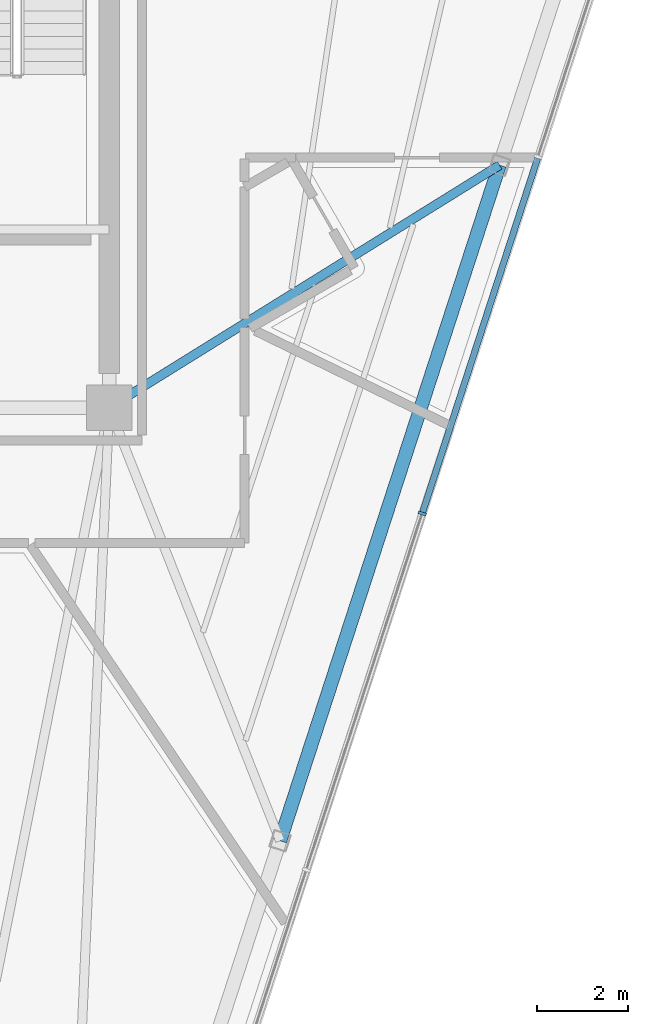
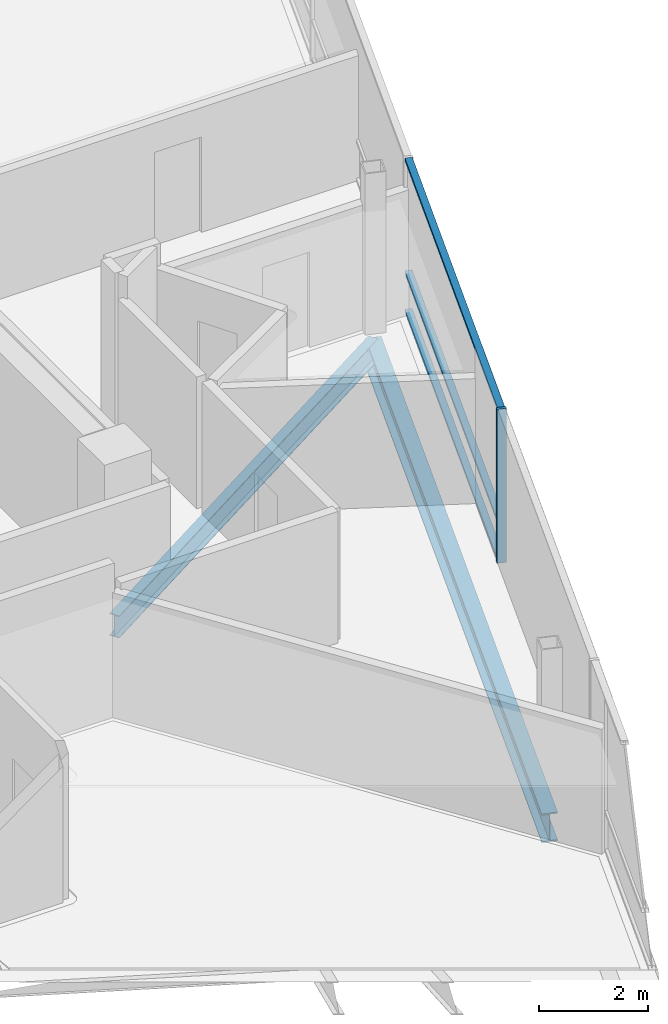
# One storey, part 5 of 18: 4 members, 2 beams, 1 element without a shape of its own.
"""IFC4 building model written with IfcOpenShell, lengths in metres."""

from ifc_helpers import new_model, si_unit, direction, frame, origin, origin_2d, place, context, subcontext, project, spatial, rectangle, i_section, extrude, material, layer, layer_set, material_profile, profile_set, type_object, element, aggregate, save


model = new_model("IFC4")

# Units and contexts
model_context = context("Model", 3, precision=1e-05, world=origin(), true_north=direction((0.0, 1.0)))
body_context = subcontext(model_context, "Body", "Model", "MODEL_VIEW")
ifc_project = project(units=[si_unit("LENGTHUNIT", "METRE"), si_unit("AREAUNIT", "SQUARE_METRE"), si_unit("VOLUMEUNIT", "CUBIC_METRE"), si_unit("PLANEANGLEUNIT", "RADIAN"), si_unit("MASSUNIT", "GRAM", prefix="KILO")], contexts=[model_context])

# Site, building, storey
site_placement = place(None, origin())
site = spatial("IfcSite", under=ifc_project, at=site_placement, CompositionType="ELEMENT")
building_placement = place(site_placement, origin())
building = spatial("IfcBuilding", under=site, at=building_placement, Name="Tharavind Bronze Gate", CompositionType="ELEMENT")
storey_placement = place(building_placement, frame((0.0, 0.0, 287.050048828125)))
storey = spatial("IfcBuildingStorey", under=building, at=storey_placement, Name="L74", CompositionType="ELEMENT", Elevation=287.050048828125)

# Curtain wall, members
ifc_material_1 = material(Name="Anodised Bronze Aluminium", Category="aluminium")
ifc_layer = layer(ifc_material_1, 0.219970703125)
ifc_layer_set = layer_set([ifc_layer], Name="Anodised Bronze Aluminium")
curtain_wall_type = type_object("IfcCurtainWallType", Name="UNITISED CURTAIN WALL CROWN", PredefinedType="USERDEFINED", material=ifc_layer_set)
curtain_wall_placement = place(storey_placement, origin())
curtain_wall = element("IfcCurtainWall", 1, at=curtain_wall_placement, inside=storey, type_object=curtain_wall_type, Name="L74 unitised curtain wall crown CW-L74-S2", ObjectType="UNITISED CURTAIN WALL", PredefinedType="USERDEFINED")
member_type_1 = type_object("IfcMemberType", Name="CURTAIN WALL BRONZE MULLION 65X180", PredefinedType="MULLION", material=ifc_material_1)
member_1_placement = place(storey_placement, frame((15.78759765625, -9.9296875, 0.0), z_axis=(0.0, 0.0, 1.0), x_axis=(0.309016994375, 0.951056516295, 0.0)))
member_1 = element("IfcMember", 2, at=member_1_placement, type_object=member_type_1, Name="CW-L74-S2 mullion 4", PredefinedType="MULLION", context=body_context, shape_type="SweptSolid", body=[
    extrude(rectangle(XDim=0.06494140625, YDim=0.179931640625, at=origin_2d()), origin(), (0.0, 0.0, 1.0), 3.465087890625),
])
member_type_2 = type_object("IfcMemberType", Name="CURTAIN WALL BRONZE TRANSOM 65X140", PredefinedType="USERDEFINED", material=ifc_material_1)
member_2_placement = place(storey_placement, frame((17.06201171875, -6.007568359375, 0.0), z_axis=(0.0, 0.0, 1.0), x_axis=(0.309016994375, 0.951056516295, 0.0)))
member_2 = element("IfcMember", 3, at=member_2_placement, type_object=member_type_2, Name="CW-L74-S2 transom TB4", ObjectType="TRANSOM", PredefinedType="USERDEFINED", context=body_context, shape_type="SweptSolid", body=[
    extrude(rectangle(XDim=8.195068359375, YDim=0.139892578125, at=origin_2d()), origin(), (0.0, 0.0, 1.0), 0.06494140625),
])
member_3_placement = place(storey_placement, frame((17.06201171875, -6.007568359375, 0.867431640625), z_axis=(0.0, 0.0, 1.0), x_axis=(0.309016994375, 0.951056516295, 0.0)))
member_3 = element("IfcMember", 4, at=member_3_placement, type_object=member_type_2, Name="CW-L74-S2 transom TS4", ObjectType="TRANSOM", PredefinedType="USERDEFINED", context=body_context, shape_type="SweptSolid", body=[
    extrude(rectangle(XDim=8.195068359375, YDim=0.139892578125, at=origin_2d()), origin(), (0.0, 0.0, 1.0), 0.06494140625),
])
member_4_placement = place(storey_placement, frame((17.06201171875, -6.007568359375, 3.39990234375), z_axis=(0.0, 0.0, 1.0), x_axis=(0.309016994375, 0.951056516295, 0.0)))
member_4 = element("IfcMember", 5, at=member_4_placement, type_object=member_type_2, Name="CW-L74-S2 transom TT4", ObjectType="TRANSOM", PredefinedType="USERDEFINED", context=body_context, shape_type="SweptSolid", body=[
    extrude(rectangle(XDim=8.195068359375, YDim=0.139892578125, at=origin_2d()), origin(), (0.0, 0.0, 1.0), 0.06494140625),
])
aggregate(curtain_wall, [member_1, member_2, member_3, member_4])

# Beams
ifc_material_2 = material(Name="Steel S355", Category="steel")
ifc_material_profile_1 = material_profile(ifc_material_2, i_section(OverallWidth=0.300048828125, OverallDepth=0.64990234375, WebThickness=0.01611328125, FlangeThickness=0.031005859375, at=origin_2d()), Name="HE650B")
ifc_profile_set_1 = profile_set([ifc_material_profile_1], Name="Steel S355")
beam_type_1 = type_object("IfcBeamType", Name="PRIMARY GIRDER HE650B", PredefinedType="USERDEFINED", material=ifc_profile_set_1)
beam_1_placement = place(storey_placement, frame((12.6591796875, -17.130615234375, -0.510009765625), z_axis=(0.30902108499, 0.951055187164, 0.0), x_axis=(-0.951055187164, 0.30902108499, 0.0)))
element("IfcBeam", 6, at=beam_1_placement, inside=storey, type_object=beam_type_1, Name="L74 primary girder he650b BM-L74-PRG06", ObjectType="GIRDER", PredefinedType="USERDEFINED", context=body_context, shape_type="SweptSolid", body=[
    extrude(i_section(OverallWidth=0.300048828125, OverallDepth=0.64990234375, WebThickness=0.01611328125, FlangeThickness=0.031005859375, at=origin_2d()), origin(), (0.0, 0.0, 1.0), 15.63037109375),
])
ifc_material_profile_2 = material_profile(ifc_material_2, i_section(OverallWidth=0.199951171875, OverallDepth=0.5, WebThickness=0.01025390625, FlangeThickness=0.01611328125, at=origin_2d()), Name="IPE500")
ifc_profile_set_2 = profile_set([ifc_material_profile_2], Name="Steel S355")
beam_type_2 = type_object("IfcBeamType", Name="PRIMARY GIRDER IPE500", PredefinedType="USERDEFINED", material=ifc_profile_set_2)
beam_2_placement = place(storey_placement, frame((17.4892578125, -2.265380859375, -0.43505859375), z_axis=(-0.849489786576, -0.527605063, 0.0), x_axis=(0.527605063, -0.849489786576, 0.0)))
element("IfcBeam", 7, at=beam_2_placement, inside=storey, type_object=beam_type_2, Name="L74 primary girder ipe500 BM-L74-RAD07", ObjectType="GIRDER", PredefinedType="USERDEFINED", context=body_context, shape_type="SweptSolid", body=[
    extrude(i_section(OverallWidth=0.199951171875, OverallDepth=0.5, WebThickness=0.01025390625, FlangeThickness=0.01611328125, at=origin_2d()), origin(), (0.0, 0.0, 1.0), 10.111083984375),
])

save(model, "model.ifc")
